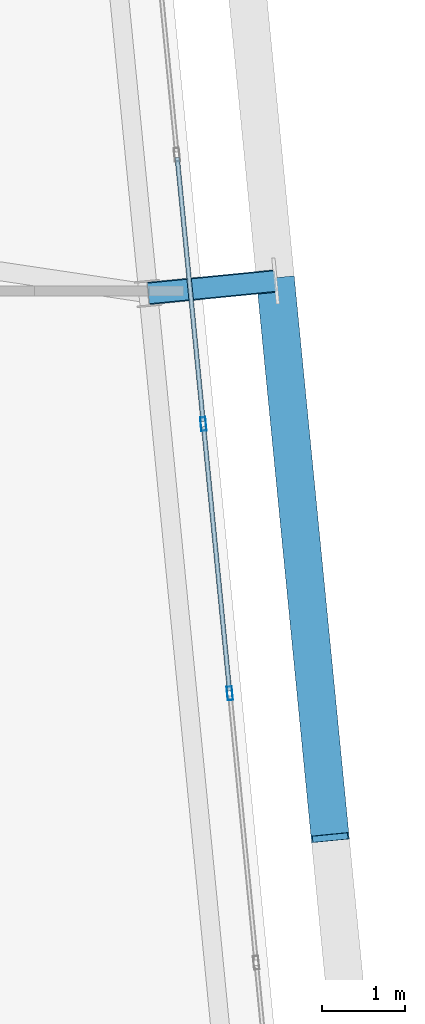
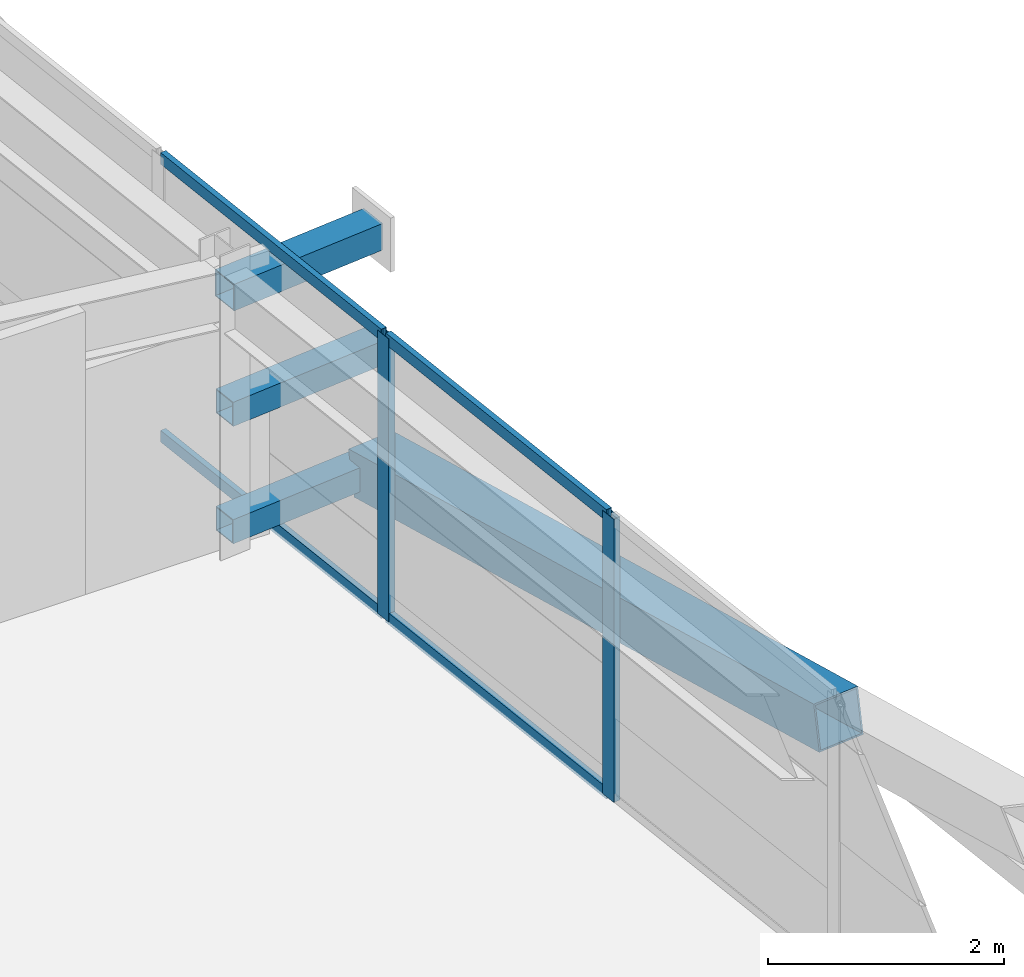
# One storey, part 24 of 53: 10 members, 1 element without a shape of its own.
"""IFC4 building model written with IfcOpenShell, lengths in metres."""

import ifcopenshell
import ifcopenshell.guid

model = None  # the IFC model being written
_history = None  # IfcOwnerHistory: only IFC2X3 demands one
_inside = {}  # id of a spatial element -> (the spatial element, [elements in it])
_under = {}  # id of a project, library or spatial element -> (it, [spatial elements below it])
_declared = {}  # id of a project -> (the project, [libraries it declares])
_typed = {}  # id of a type object -> (the type object, [elements of that type])
_made_of = {}  # id of a material, layer set ... -> (it, [elements and type objects made of it])


def new_model(schema):
    """Start an empty IFC model of exactly this schema.

    Asked for "IFC4X3", IfcOpenShell would pick the latest addendum, in which some entities
    have other attributes; the version numbers below select the first issue.
    IFC2X3 requires an IfcOwnerHistory on every rooted entity: one is made here for all.
    """
    global model, _history
    if schema == "IFC4X3":
        model = ifcopenshell.file(schema_version=(4, 3, 0, 0))
    else:
        model = ifcopenshell.file(schema=schema)
    _inside.clear()
    _under.clear()
    _declared.clear()
    _typed.clear()
    _made_of.clear()
    _history = None
    if model.schema == "IFC2X3":
        org = make("IfcOrganization", Name="unknown")
        user = make(
            "IfcPersonAndOrganization",
            ThePerson=make("IfcPerson", FamilyName="unknown"),
            TheOrganization=org,
        )
        app = make(
            "IfcApplication",
            ApplicationDeveloper=org,
            Version="unknown",
            ApplicationFullName="unknown",
            ApplicationIdentifier="unknown",
        )
        _history = make(
            "IfcOwnerHistory",
            OwningUser=user,
            OwningApplication=app,
            ChangeAction="ADDED",
            CreationDate=0,
        )
    return model


def make(cls, **values):
    """One entity of the class cls with the attributes given. An attribute that is None is left unset."""
    return model.create_entity(
        cls, **{name: value for name, value in values.items() if value is not None}
    )


def rooted(cls, **values):
    """An entity with a GlobalId (a new one), such as an element, a storey or a relation."""
    return make(cls, GlobalId=ifcopenshell.guid.new(), OwnerHistory=_history, **values)


def si_unit(unit_type, name, prefix=None):
    """IfcSIUnit, for example si_unit("LENGTHUNIT", "METRE", prefix="MILLI")."""
    return make("IfcSIUnit", UnitType=unit_type, Prefix=prefix, Name=name)


def assignment(units):
    """IfcUnitAssignment: the units of a project."""
    return None if units is None else make("IfcUnitAssignment", Units=units)


def point(xyz):
    """IfcCartesianPoint."""
    return None if xyz is None else make("IfcCartesianPoint", Coordinates=xyz)


def direction(xyz):
    """IfcDirection."""
    return None if xyz is None else make("IfcDirection", DirectionRatios=xyz)


def frame(location, z_axis=None, x_axis=None):
    """IfcAxis2Placement3D, a coordinate frame: its origin and axes. An axis left out is left unset."""
    return make(
        "IfcAxis2Placement3D",
        Location=point(location),
        Axis=direction(z_axis),
        RefDirection=direction(x_axis),
    )


def frame_2d(location, x_axis=None):
    """IfcAxis2Placement2D, a coordinate frame in the plane: its origin and x axis."""
    return make(
        "IfcAxis2Placement2D", Location=point(location), RefDirection=direction(x_axis)
    )


def origin():
    """The frame at (0, 0, 0) with its axes left unset."""
    return frame((0.0, 0.0, 0.0))


def origin_2d():
    """The frame at (0, 0) in the plane with its x axis left unset."""
    return frame_2d((0.0, 0.0))


def place(relative_to, where):
    """IfcLocalPlacement: puts the frame where relative to a parent placement (None: the world)."""
    return make(
        "IfcLocalPlacement", PlacementRelTo=relative_to, RelativePlacement=where
    )


def context(
    kind, dimensions, precision=None, world=None, true_north=None, identifier=None
):
    """IfcGeometricRepresentationContext, for example the 3D "Model" context."""
    return make(
        "IfcGeometricRepresentationContext",
        ContextIdentifier=identifier,
        ContextType=kind,
        CoordinateSpaceDimension=dimensions,
        Precision=precision,
        WorldCoordinateSystem=world,
        TrueNorth=true_north,
    )


def subcontext(parent, identifier, kind, view, scale=None):
    """IfcGeometricRepresentationSubContext, for example "Body" below "Model"."""
    return make(
        "IfcGeometricRepresentationSubContext",
        ContextIdentifier=identifier,
        ContextType=kind,
        ParentContext=parent,
        TargetScale=scale,
        TargetView=view,
    )


def project(units=None, contexts=None):
    """IfcProject with its units and contexts."""
    return rooted(
        "IfcProject",
        Name="project",
        RepresentationContexts=contexts,
        UnitsInContext=assignment(units),
    )


def spatial(cls, under=None, at=None, **own):
    """A site, building, storey or space (cls), placed at a placement, below another one or the project."""
    s = rooted(cls, ObjectPlacement=at, **own)
    if under is not None:
        _under.setdefault(under.id(), (under, []))[1].append(s)
    return s


def profile(cls, at=None, kind="AREA", **sizes):
    """A parametric profile (cls). Its sizes go by their IFC names, for example OverallWidth=200.0."""
    return make(cls, ProfileType=kind, Position=at, **sizes)


def hollow_rectangle(**sizes):
    """IfcRectangleHollowProfileDef."""
    return profile("IfcRectangleHollowProfileDef", **sizes)


def extrude(swept, where, along, depth):
    """IfcExtrudedAreaSolid: the profile swept, set in the frame where, extruded along a direction by depth."""
    return make(
        "IfcExtrudedAreaSolid",
        SweptArea=swept,
        Position=where,
        ExtrudedDirection=direction(along),
        Depth=depth,
    )


def shape(context_of_items, identifier, shape_type, items):
    """IfcShapeRepresentation: the items that make up one representation, for example the "Body"."""
    return make(
        "IfcShapeRepresentation",
        ContextOfItems=context_of_items,
        RepresentationIdentifier=identifier,
        RepresentationType=shape_type,
        Items=items,
    )


def source(mapping_origin, context_of_items, identifier, shape_type, items):
    """IfcRepresentationMap: a shape defined once, which mapped items show again and again."""
    return make(
        "IfcRepresentationMap",
        MappingOrigin=mapping_origin,
        MappedRepresentation=shape(context_of_items, identifier, shape_type, items),
    )


def transform(
    local_origin,
    x_axis=None,
    y_axis=None,
    z_axis=None,
    scale=None,
    scale2=None,
    scale3=None,
    uniform=True,
):
    """IfcCartesianTransformationOperator3D, or its non-uniform kind. x_axis, y_axis, z_axis: its Axis1, 2, 3."""
    if uniform:
        return make(
            "IfcCartesianTransformationOperator3D",
            Axis1=direction(x_axis),
            Axis2=direction(y_axis),
            LocalOrigin=point(local_origin),
            Scale=scale,
            Axis3=direction(z_axis),
        )
    return make(
        "IfcCartesianTransformationOperator3DnonUniform",
        Axis1=direction(x_axis),
        Axis2=direction(y_axis),
        LocalOrigin=point(local_origin),
        Scale=scale,
        Axis3=direction(z_axis),
        Scale2=scale2,
        Scale3=scale3,
    )


def mapped(mapping_source, mapping_target):
    """IfcMappedItem: shows the shape of a source again, moved by a transform."""
    return make(
        "IfcMappedItem", MappingSource=mapping_source, MappingTarget=mapping_target
    )


def material(Name=None, Category=None):
    """IfcMaterial."""
    return make("IfcMaterial", Name=Name, Category=Category)


def layer(
    of_material, thickness, ventilated=None, Name=None, Category=None, Priority=None
):
    """IfcMaterialLayer: one layer of a wall or slab, of a material (None: an air gap)."""
    return make(
        "IfcMaterialLayer",
        Material=of_material,
        LayerThickness=thickness,
        IsVentilated=ventilated,
        Name=Name,
        Category=Category,
        Priority=Priority,
    )


def layer_set(layers, Name=None):
    """IfcMaterialLayerSet."""
    return make("IfcMaterialLayerSet", MaterialLayers=layers, LayerSetName=Name)


def material_profile(
    of_material, cross_section, Name=None, Category=None, Priority=None
):
    """IfcMaterialProfile: a cross section and its material."""
    return make(
        "IfcMaterialProfile",
        Name=Name,
        Material=of_material,
        Profile=cross_section,
        Priority=Priority,
        Category=Category,
    )


def profile_set(profiles, Name=None, composite=None):
    """IfcMaterialProfileSet."""
    return make(
        "IfcMaterialProfileSet",
        Name=Name,
        MaterialProfiles=profiles,
        CompositeProfile=composite,
    )


def made_of(thing, what):
    """Note that an element or type object is made of a material, layer set ...; save() writes the relation."""
    if what is not None:
        _made_of.setdefault(what.id(), (what, []))[1].append(thing)
    return thing


def type_object(cls, material=None, **own):
    """A type object (cls), such as IfcWallType, which elements share."""
    return made_of(rooted(cls, **own), material)


def element(
    cls,
    number,
    at=None,
    inside=None,
    cuts=None,
    type_object=None,
    material=None,
    context=None,
    identifier="Body",
    shape_type=None,
    held_by="IfcProductDefinitionShape",
    body=None,
    shapes=None,
    **own,
):
    """One element of the class cls, such as IfcWall. Its Tag is "e" and its number.

    at: its placement. inside: the storey or other place that contains it. cuts: it is an
    opening in that element (IfcRelVoidsElement). A single representation is given by context,
    identifier, shape_type and body (its items); several are given by shapes. held_by: the class
    of the entity that holds the representations. save() writes the other relations.
    """
    e = rooted(cls, Tag="e%d" % number, ObjectPlacement=at, **own)
    if body is not None:
        shapes = [shape(context, identifier, shape_type, body)]
    if shapes is not None:
        e.Representation = make(held_by, Representations=shapes)
    if inside is not None:
        _inside.setdefault(inside.id(), (inside, []))[1].append(e)
    if cuts is not None:
        rooted(
            "IfcRelVoidsElement", RelatingBuildingElement=cuts, RelatedOpeningElement=e
        )
    if type_object is not None:
        _typed.setdefault(type_object.id(), (type_object, []))[1].append(e)
    return made_of(e, material)


def aggregate(whole, parts):
    """IfcRelAggregates: a whole, such as a stair, and the parts it consists of."""
    return rooted("IfcRelAggregates", RelatingObject=whole, RelatedObjects=parts)


def save(model, path):
    """Write the relations noted so far, then the file.

    IfcRelAggregates (storeys below a building ...), IfcRelContainedInSpatialStructure (elements
    in a storey), IfcRelDefinesByType, IfcRelAssociatesMaterial and IfcRelDeclares: one each for
    every whole, place, type object, material and project.
    """
    for whole, parts in _under.values():
        aggregate(whole, parts)
    for where, things in _inside.values():
        rooted(
            "IfcRelContainedInSpatialStructure",
            RelatedElements=things,
            RelatingStructure=where,
        )
    for kind, things in _typed.values():
        rooted("IfcRelDefinesByType", RelatedObjects=things, RelatingType=kind)
    for what, things in _made_of.values():
        rooted("IfcRelAssociatesMaterial", RelatedObjects=things, RelatingMaterial=what)
    for by, libraries in _declared.values():
        rooted("IfcRelDeclares", RelatingContext=by, RelatedDefinitions=libraries)
    model.write(path)


model = new_model("IFC4")

# Units and contexts
model_context = context("Model", 3, precision=1e-05, world=origin(), true_north=direction((0.0, 1.0)))
body_context = subcontext(model_context, "Body", "Model", "MODEL_VIEW")
ifc_project = project(units=[si_unit("LENGTHUNIT", "METRE"), si_unit("AREAUNIT", "SQUARE_METRE"), si_unit("VOLUMEUNIT", "CUBIC_METRE"), si_unit("PLANEANGLEUNIT", "RADIAN"), si_unit("MASSUNIT", "GRAM", prefix="KILO")], contexts=[model_context])

# Site, building, storey
site_placement = place(None, origin())
site = spatial("IfcSite", under=ifc_project, at=site_placement, CompositionType="ELEMENT")
building_placement = place(site_placement, origin())
building = spatial("IfcBuilding", under=site, at=building_placement, Name="Taldren Reach Tower", CompositionType="ELEMENT")
storey_placement = place(building_placement, frame((0.0, 0.0, 84.0)))
storey = spatial("IfcBuildingStorey", under=building, at=storey_placement, Name="L25", CompositionType="ELEMENT", Elevation=84.0)

# Members
ifc_material_1 = material(Name="Steel Gr 450 (C450L0)", Category="steel")
ifc_material_profile_1 = material_profile(ifc_material_1, hollow_rectangle(XDim=0.27490234375, YDim=0.27490234375, WallThickness=0.00927734375, at=origin_2d()), Name="275x275x9.3SHS")
ifc_profile_set_1 = profile_set([ifc_material_profile_1], Name="Steel Gr 450 (C450L0)")
member_type_1 = type_object("IfcMemberType", Name="MB-TIE273", PredefinedType="STRUT", material=ifc_profile_set_1)
shared_shape_1 = source(origin(), body_context, "Body", "SweptSolid", [
    extrude(hollow_rectangle(XDim=0.27490234375, YDim=0.27490234375, WallThickness=0.00927734375, at=origin_2d()), origin(), (0.0, 0.0, 1.0), 1.5498046875),
])
member_1_placement = place(storey_placement, frame((64.569580078125, 21.968994140625, 2.64990234375), z_axis=(0.995234821595, 0.097507178627, 0.0), x_axis=(-0.097507178627, 0.995234821595, 0.0)))
element("IfcMember", 1, at=member_1_placement, inside=storey, type_object=member_type_1, Name="Exoskeleton diaphragm tie strut B2-E2 L25", PredefinedType="STRUT", context=body_context, shape_type="MappedRepresentation", body=[
    mapped(shared_shape_1, transform((0.0, 0.0, 0.0), scale=1.0)),
])
ifc_material_2 = material(Name="Steel Gr 350 (C350L0)", Category="steel")
ifc_material_profile_2 = material_profile(ifc_material_2, hollow_rectangle(XDim=0.25, YDim=0.25, WallThickness=0.010009765625, at=origin_2d()), Name="250x250x10.0SHS")
ifc_profile_set_2 = profile_set([ifc_material_profile_2], Name="Steel Gr 350 (C350L0)")
member_type_2 = type_object("IfcMemberType", Name="MB-POST250", PredefinedType="POST", material=ifc_profile_set_2)
shared_shape_2 = source(origin(), body_context, "Body", "SweptSolid", [
    extrude(hollow_rectangle(XDim=0.25, YDim=0.25, WallThickness=0.010009765625, at=origin_2d()), origin(), (0.0, 0.0, 1.0), 1.5498046875),
])
for number, where, z_axis, x_axis, name in (
    (2, (64.569580078125, 21.968994140625, 0.219970703125), (0.995234821595, 0.097507178627, 0.0), (-0.097507178627, 0.995234821595, 0.0), "Exoskeleton base diaphragm tie strut B2-E2 L25"),
    (3, (64.569580078125, 21.968994140625, 1.43505859375), (0.995234821595, 0.097507178627, 0.0), (-0.097507178627, 0.995234821595, 0.0), "Exoskeleton mid-tier diaphragm tie B2-E2 L25"),
):
    element("IfcMember", number, at=place(storey_placement, frame(where, z_axis=z_axis, x_axis=x_axis)), inside=storey, type_object=member_type_2, Name=name, PredefinedType="POST", context=body_context, shape_type="MappedRepresentation", body=[
        mapped(shared_shape_2, transform((0.0, 0.0, 0.0), scale=1.0)),
    ])
ifc_material_profile_3 = material_profile(ifc_material_1, hollow_rectangle(XDim=0.4599609375, YDim=0.4599609375, WallThickness=0.01611328125, at=origin_2d()), Name="460x460x16.0SHS")
ifc_profile_set_3 = profile_set([ifc_material_profile_3], Name="Steel Gr 450 (C450L0)")
member_type_3 = type_object("IfcMemberType", Name="MB-EXO457", PredefinedType="BRACE", material=ifc_profile_set_3)
shared_shape_3 = source(origin(), body_context, "Body", "SweptSolid", [
    extrude(hollow_rectangle(XDim=0.4599609375, YDim=0.4599609375, WallThickness=0.01611328125, at=origin_2d()), origin(), (0.0, 0.0, 1.0), 6.883056640625),
])
member_2_placement = place(storey_placement, frame((66.112060546875, 22.1201171875, 0.219970703125), z_axis=(0.09605145821, -0.97959718347, 0.176531797456), x_axis=(0.995227290009, 0.097584021339, 0.0)))
element("IfcMember", 4, at=member_2_placement, inside=storey, type_object=member_type_3, Name="Exoskeleton Diagrid Brace B2-E1 L25", PredefinedType="BRACE", context=body_context, shape_type="MappedRepresentation", body=[
    mapped(shared_shape_3, transform((0.0, 0.0, 0.0), scale=1.0)),
])

# Curtain wall, members
ifc_material_3 = material(Name="Aluminium and Low-E Glass Unitised System", Category="aluminium")
ifc_layer = layer(ifc_material_3, 0.159912109375)
ifc_layer_set = layer_set([ifc_layer], Name="Aluminium and Low-E Glass Unitised System")
curtain_wall_type = type_object("IfcCurtainWallType", Name="CW-SYS-3", PredefinedType="NOTDEFINED", material=ifc_layer_set)
curtain_wall_placement = place(storey_placement, origin())
curtain_wall = element("IfcCurtainWall", 5, at=curtain_wall_placement, inside=storey, type_object=curtain_wall_type, Name="Unitised curtain wall CW-L25-E", PredefinedType="NOTDEFINED")
ifc_material_4 = material(Name="Anodised Aluminium 6063-T6", Category="aluminium")
ifc_material_profile_4 = material_profile(ifc_material_4, hollow_rectangle(XDim=0.06494140625, YDim=0.1650390625, WallThickness=0.00390625, at=origin_2d()), Name="ALU-165x65x4RHS")
ifc_profile_set_4 = profile_set([ifc_material_profile_4], Name="Anodised Aluminium 6063-T6")
member_type_4 = type_object("IfcMemberType", Name="CW-MUL-165", PredefinedType="MULLION", material=ifc_profile_set_4)
shared_shape_4 = source(origin(), body_context, "Body", "SweptSolid", [
    extrude(hollow_rectangle(XDim=0.06494140625, YDim=0.1650390625, WallThickness=0.00390625, at=origin_2d()), origin(), (0.0, 0.0, 1.0), 2.929931640625),
])
member_3_placement = place(storey_placement, frame((65.556884765625, 17.12548828125, 0.0), z_axis=(0.0, 0.0, 1.0), x_axis=(-0.99522741555, -0.09758274098, 0.0)))
member_3 = element("IfcMember", 6, at=member_3_placement, type_object=member_type_4, Name="CW-3 mullion 4", PredefinedType="MULLION", context=body_context, shape_type="MappedRepresentation", body=[
    mapped(shared_shape_4, transform((0.0, 0.0, 0.0), scale=1.0)),
])
member_4_placement = place(storey_placement, frame((65.237060546875, 20.3876953125, 0.0), z_axis=(0.0, 0.0, 1.0), x_axis=(-0.99522741555, -0.09758274098, 0.0)))
member_4 = element("IfcMember", 7, at=member_4_placement, type_object=member_type_4, Name="CW-3 mullion 5", PredefinedType="MULLION", context=body_context, shape_type="MappedRepresentation", body=[
    mapped(shared_shape_4, transform((0.0, 0.0, 0.0), scale=1.0)),
])
ifc_material_profile_5 = material_profile(ifc_material_4, hollow_rectangle(XDim=0.054931640625, YDim=0.1201171875, WallThickness=0.0029296875, at=origin_2d()), Name="ALU-120x55x3RHS")
ifc_profile_set_5 = profile_set([ifc_material_profile_5], Name="Anodised Aluminium 6063-T6")
member_type_5 = type_object("IfcMemberType", Name="CW-TRN-135", PredefinedType="USERDEFINED", material=ifc_profile_set_5)
shared_shape_5 = source(origin(), body_context, "Body", "SweptSolid", [
    extrude(hollow_rectangle(XDim=0.054931640625, YDim=0.1201171875, WallThickness=0.0029296875, at=origin_2d()), origin(), (0.0, 0.0, 1.0), 3.212890625),
])
member_5_placement = place(storey_placement, frame((65.5537109375, 17.15771484375, 0.027587890625), z_axis=(-0.097569948235, 0.995228669805, 0.0), x_axis=(-0.995228669805, -0.097569948235, 0.0)))
member_5 = element("IfcMember", 8, at=member_5_placement, type_object=member_type_5, Name="CW-3 transom 4.1", ObjectType="TRANSOM", PredefinedType="USERDEFINED", context=body_context, shape_type="MappedRepresentation", body=[
    mapped(shared_shape_5, transform((0.0, 0.0, 0.0), scale=1.0)),
])
member_6_placement = place(storey_placement, frame((65.5537109375, 17.15771484375, 2.902587890625), z_axis=(-0.097569948235, 0.995228669805, 0.0), x_axis=(-0.995228669805, -0.097569948235, 0.0)))
member_6 = element("IfcMember", 9, at=member_6_placement, type_object=member_type_5, Name="CW-3 transom 4.2", ObjectType="TRANSOM", PredefinedType="USERDEFINED", context=body_context, shape_type="MappedRepresentation", body=[
    mapped(shared_shape_5, transform((0.0, 0.0, 0.0), scale=1.0)),
])
member_7_placement = place(storey_placement, frame((65.23388671875, 20.419921875, 0.027587890625), z_axis=(-0.097645213046, 0.995221288141, 0.0), x_axis=(-0.995221288141, -0.097645213046, 0.0)))
member_7 = element("IfcMember", 10, at=member_7_placement, type_object=member_type_5, Name="CW-3 transom 5.1", ObjectType="TRANSOM", PredefinedType="USERDEFINED", context=body_context, shape_type="MappedRepresentation", body=[
    mapped(shared_shape_5, transform((0.0, 0.0, 0.0), scale=1.0)),
])
member_8_placement = place(storey_placement, frame((65.23388671875, 20.419921875, 2.902587890625), z_axis=(-0.097645213046, 0.995221288141, 0.0), x_axis=(-0.995221288141, -0.097645213046, 0.0)))
member_8 = element("IfcMember", 11, at=member_8_placement, type_object=member_type_5, Name="CW-3 transom 5.2", ObjectType="TRANSOM", PredefinedType="USERDEFINED", context=body_context, shape_type="MappedRepresentation", body=[
    mapped(shared_shape_5, transform((0.0, 0.0, 0.0), scale=1.0)),
])
aggregate(curtain_wall, [member_3, member_4, member_5, member_6, member_7, member_8])

save(model, "model.ifc")
